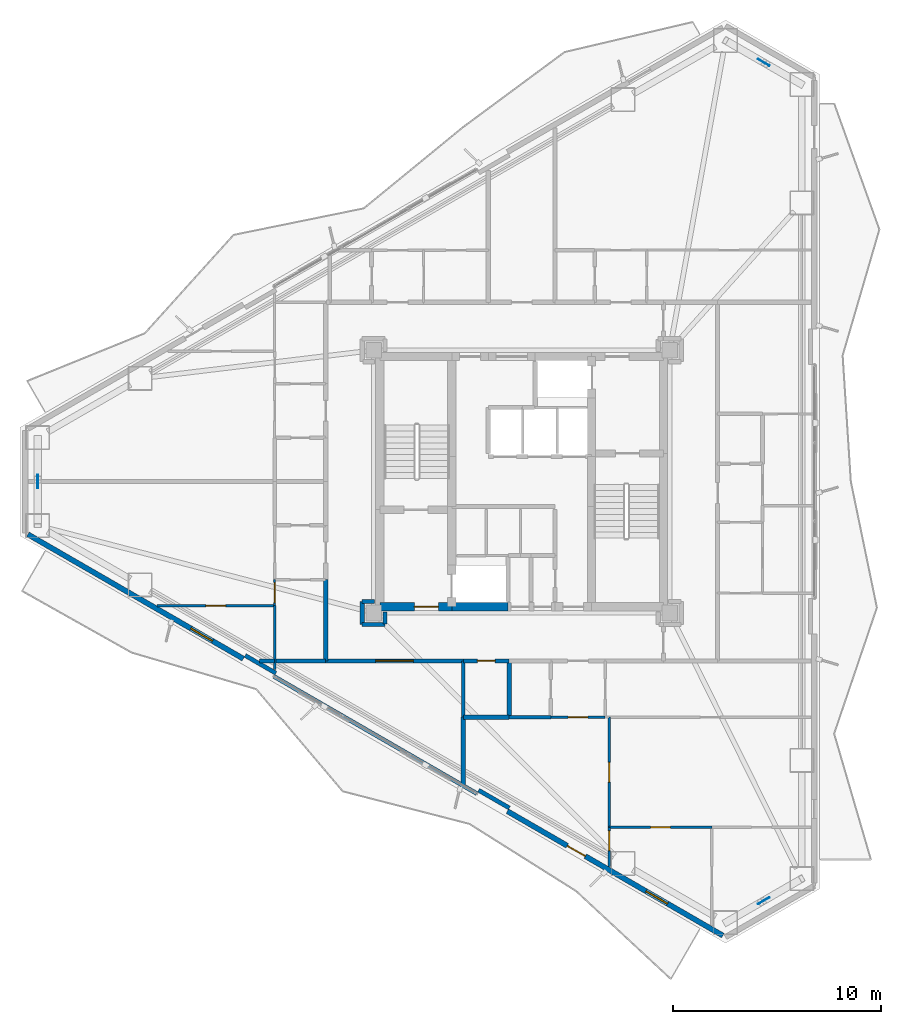
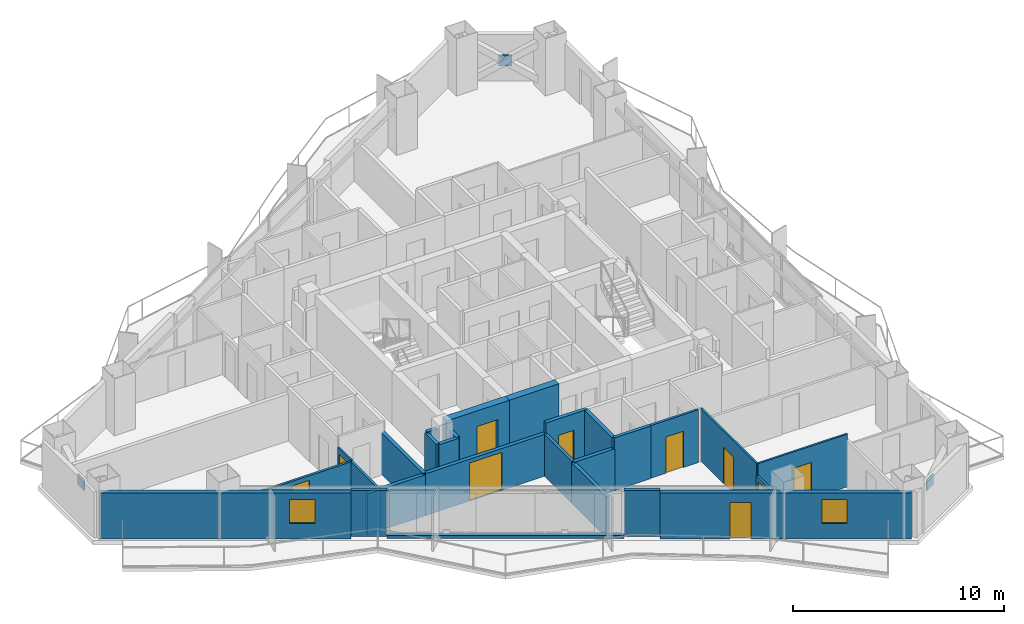
# One storey, part 15 of 22: 28 walls, 10 doors, 3 plates, 2 windows, 12 openings.
"""IFC4 building model written with IfcOpenShell, lengths in metres."""

from ifc_helpers import new_model, si_unit, direction, frame, frame_2d, origin, origin_2d, place, context, subcontext, project, spatial, rectangle, extrude, material, layer, layer_set, type_object, element, fill, save


model = new_model("IFC4")

# Units and contexts
model_context = context("Model", 3, precision=1e-05, world=origin(), true_north=direction((0.0, 1.0)))
body_context = subcontext(model_context, "Body", "Model", "MODEL_VIEW")
ifc_project = project(units=[si_unit("LENGTHUNIT", "METRE"), si_unit("AREAUNIT", "SQUARE_METRE"), si_unit("VOLUMEUNIT", "CUBIC_METRE"), si_unit("PLANEANGLEUNIT", "RADIAN"), si_unit("MASSUNIT", "GRAM", prefix="KILO")], contexts=[model_context])

# Site, building, storey
site_placement = place(None, origin())
site = spatial("IfcSite", under=ifc_project, at=site_placement, CompositionType="ELEMENT")
building_placement = place(site_placement, origin())
building = spatial("IfcBuilding", under=site, at=building_placement, Name="Mersakhor Tower and Convention Hall", CompositionType="ELEMENT")
storey_placement = place(building_placement, frame((0.0, 0.0, 103.199951171875)))
storey = spatial("IfcBuildingStorey", under=building, at=storey_placement, Name="L28", CompositionType="ELEMENT", Elevation=103.199951171875)

# Plates
ifc_material_1 = material(Name="Steel S460", Category="steel")
ifc_layer_1 = layer(ifc_material_1, 0.0400390625)
ifc_layer_set_1 = layer_set([ifc_layer_1], Name="Steel S460")
plate_type = type_object("IfcPlateType", Name="PL-GUSSET-40", PredefinedType="SHEET", material=ifc_layer_set_1)
for number, where, z_axis, x_axis, name in (
    (1, (40.606689453125, 46.853515625, 1.205078125), (0.0, 0.0, 1.0), (-0.866025403784, 0.5, 0.0), "L28 X-Brace Crossing Gusset Node Plate"),
    (2, (40.606689453125, 6.646728515625, 1.205078125), (0.0, 0.0, 1.0), (0.866025403784, 0.5, 0.0), "L28 X-Brace Crossing Gusset Node Plate"),
    (3, (5.78662109375, 26.75, 1.205078125), (0.0, 0.0, 1.0), (0.0, -1.0, 0.0), "L28 X-Brace Crossing Gusset Node Plate"),
):
    element("IfcPlate", number, at=place(storey_placement, frame(where, z_axis=z_axis, x_axis=x_axis)), inside=storey, type_object=plate_type, Name=name, PredefinedType="SHEET", context=body_context, shape_type="SweptSolid", body=[
        extrude(rectangle(XDim=0.639892578125, YDim=0.0400390625, at=origin_2d()), origin(), (0.0, 0.0, 1.0), 0.639892578125),
    ])

# Wall, openings, door, window
ifc_material_2 = material(Name="Precast concrete C40/50", Category="concrete")
ifc_layer_2 = layer(ifc_material_2, 0.25)
ifc_layer_set_2 = layer_set([ifc_layer_2], Name="Precast concrete C40/50")
wall_type_1 = type_object("IfcWallType", Name="WL-EXT-250", PredefinedType="SOLIDWALL", material=ifc_layer_set_2)
wall_1_placement = place(storey_placement, frame((38.648681640625, 4.973388671875, 0.0), z_axis=(0.0, 0.0, 1.0), x_axis=(-0.866023023012, 0.500004123596, 0.0)))
wall_1 = element("IfcWall", 4, at=wall_1_placement, inside=storey, type_object=wall_type_1, Name="L28 Exterior Facade Wall F3-B1", PredefinedType="SOLIDWALL", context=body_context, shape_type="SweptSolid", body=[
    extrude(rectangle(XDim=11.9296875, YDim=0.25, at=frame_2d((5.96484375, 0.0))), origin(), (0.0, 0.0, 1.0), 2.670166015625),
])
opening_1_placement = place(wall_1_placement, frame((7.615966796875, 0.0, 0.0)))
opening_1 = element("IfcOpeningElement", 5, at=opening_1_placement, cuts=wall_1, Name="Opening BD-01", PredefinedType="OPENING", context=body_context, shape_type="SweptSolid", body=[
    extrude(rectangle(XDim=1.0, YDim=2.10009765625, at=frame_2d((0.5, 1.050048828125))), frame((0.0, 0.135009765625, 0.0), z_axis=(0.0, -1.0, 0.0), x_axis=(1.0, 0.0, 0.0)), (0.0, 0.0, 1.0), 0.27001953125),
])
opening_2_placement = place(wall_1_placement, frame((3.05908203125, 0.0, 0.89990234375)))
opening_2 = element("IfcOpeningElement", 6, at=opening_2_placement, cuts=wall_1, Name="Opening W-01", PredefinedType="OPENING", context=body_context, shape_type="SweptSolid", body=[
    extrude(rectangle(XDim=1.199951171875, YDim=1.39990234375, at=frame_2d((0.60009765625, 0.699951171875))), frame((0.0, 0.135009765625, 0.0), z_axis=(0.0, -1.0, 0.0), x_axis=(1.0, 0.0, 0.0)), (0.0, 0.0, 1.0), 0.27001953125),
])
ifc_material_3 = material(Name="Thermally broken dark aluminium and safety glass", Category="aluminium")
door_type_1 = type_object("IfcDoorType", Name="DR-BAL-100x210", OperationType="NOTDEFINED", PredefinedType="DOOR", material=ifc_material_3)
door_1_placement = place(opening_1_placement, origin())
door_1 = element("IfcDoor", 7, at=door_1_placement, inside=storey, type_object=door_type_1, Name="L28 Balcony Terrace Door F3-B1", OperationType="SINGLE_SWING_LEFT", OverallHeight=2.10009765625, OverallWidth=1.0, PredefinedType="DOOR", context=body_context, shape_type="SweptSolid", body=[
    extrude(rectangle(XDim=1.0, YDim=2.10009765625, at=frame_2d((0.5, 1.050048828125))), frame((0.0, 0.02490234375, 0.0), z_axis=(0.0, -1.0, 0.0), x_axis=(1.0, 0.0, 0.0)), (0.0, 0.0, 1.0), 0.050048828125),
])
fill(opening_1, door_1)
ifc_material_4 = material(Name="Dark solar low-E glazed aluminium window", Category="aluminium")
window_type = type_object("IfcWindowType", Name="WN-RES-120x150", PartitioningType="SINGLE_PANEL", PredefinedType="WINDOW", material=ifc_material_4)
window_1_placement = place(opening_2_placement, origin())
window_1 = element("IfcWindow", 8, at=window_1_placement, inside=storey, type_object=window_type, Name="L28 Bedroom Facade Window F3-B1-1", OverallHeight=1.39990234375, OverallWidth=1.199951171875, PartitioningType="SINGLE_PANEL", PredefinedType="WINDOW", context=body_context, shape_type="SweptSolid", body=[
    extrude(rectangle(XDim=1.199951171875, YDim=1.39990234375, at=frame_2d((0.60009765625, 0.699951171875))), frame((0.0, 0.030029296875, 0.0), z_axis=(0.0, -1.0, 0.0), x_axis=(1.0, 0.0, 0.0)), (0.0, 0.0, 1.0), 0.06005859375),
])
fill(opening_2, window_1)

# Wall, opening, window
wall_2_placement = place(storey_placement, frame((15.64794921875, 18.2529296875, 0.0), z_axis=(0.0, 0.0, 1.0), x_axis=(-0.866023023012, 0.500004123596, 0.0)))
wall_2 = element("IfcWall", 9, at=wall_2_placement, inside=storey, type_object=wall_type_1, Name="L28 Exterior Facade Wall F3-B3", PredefinedType="SOLIDWALL", context=body_context, shape_type="SweptSolid", body=[
    extrude(rectangle(XDim=11.9296875, YDim=0.25, at=frame_2d((5.96484375, 0.0))), origin(), (0.0, 0.0, 1.0), 2.670166015625),
])
opening_3_placement = place(wall_2_placement, frame((1.7060546875, 0.0, 0.89990234375)))
opening_3 = element("IfcOpeningElement", 10, at=opening_3_placement, cuts=wall_2, Name="Opening W-01", PredefinedType="OPENING", context=body_context, shape_type="SweptSolid", body=[
    extrude(rectangle(XDim=1.199951171875, YDim=1.39990234375, at=frame_2d((0.60009765625, 0.699951171875))), frame((0.0, 0.135009765625, 0.0), z_axis=(0.0, -1.0, 0.0), x_axis=(1.0, 0.0, 0.0)), (0.0, 0.0, 1.0), 0.27001953125),
])
window_2_placement = place(opening_3_placement, origin())
window_2 = element("IfcWindow", 11, at=window_2_placement, inside=storey, type_object=window_type, Name="L28 Bedroom Facade Window F3-B3-1", OverallHeight=1.39990234375, OverallWidth=1.199951171875, PartitioningType="SINGLE_PANEL", PredefinedType="WINDOW", context=body_context, shape_type="SweptSolid", body=[
    extrude(rectangle(XDim=1.199951171875, YDim=1.39990234375, at=frame_2d((0.60009765625, 0.699951171875))), frame((0.0, 0.030029296875, 0.0), z_axis=(0.0, -1.0, 0.0), x_axis=(1.0, 0.0, 0.0)), (0.0, 0.0, 1.0), 0.06005859375),
])
fill(opening_3, window_2)

# Walls
ifc_material_5 = material(Name="Precast concrete C40/50", Category="concrete")
ifc_layer_3 = layer(ifc_material_5, 0.199951171875)
ifc_layer_set_3 = layer_set([ifc_layer_3], Name="Precast concrete C40/50")
wall_type_2 = type_object("IfcWallType", Name="WL-PAR-200", PredefinedType="PARAPET", material=ifc_layer_set_3)
wall_3_placement = place(storey_placement, frame((26.84521484375, 11.788330078125, 0.0), z_axis=(0.0, 0.0, 1.0), x_axis=(-0.866027010039, 0.499997217876, 0.0)))
element("IfcWall", 12, at=wall_3_placement, inside=storey, type_object=wall_type_2, Name="L28 Curtain Wall Upstand Sill F3-B2", PredefinedType="PARAPET", context=body_context, shape_type="SweptSolid", body=[
    extrude(rectangle(XDim=11.2294921875, YDim=0.199951171875, at=frame_2d((5.61474609375, 0.0))), origin(), (0.0, 0.0, 1.0), 0.199951171875),
])
wall_4_placement = place(storey_placement, frame((28.407470703125, 11.09423828125, 0.0), z_axis=(0.0, 0.0, 1.0), x_axis=(-0.86605165483, 0.499954529098, 0.0)))
element("IfcWall", 13, at=wall_4_placement, inside=storey, type_object=wall_type_2, Name="L28 Column Pier Cladding Wall F3-C1", PredefinedType="PARAPET", context=body_context, shape_type="SweptSolid", body=[
    extrude(rectangle(XDim=1.699951171875, YDim=0.199951171875, at=frame_2d((0.85009765625, 0.0))), origin(), (0.0, 0.0, 1.0), 2.670166015625),
])
wall_5_placement = place(storey_placement, frame((17.210205078125, 17.558837890625, 0.0), z_axis=(0.0, 0.0, 1.0), x_axis=(-0.866025371046, 0.500000056704, 0.0)))
element("IfcWall", 14, at=wall_5_placement, inside=storey, type_object=wall_type_2, Name="L28 Column Pier Cladding Wall F3-C2", PredefinedType="PARAPET", context=body_context, shape_type="SweptSolid", body=[
    extrude(rectangle(XDim=1.7001953125, YDim=0.199951171875, at=frame_2d((0.85009765625, 0.0))), origin(), (0.0, 0.0, 1.0), 2.670166015625),
])
ifc_material_6 = material(Name="Moisture-resistant acoustic drywall studwork", Category="other")
ifc_layer_4 = layer(ifc_material_6, 0.175048828125)
ifc_layer_set_4 = layer_set([ifc_layer_4], Name="Moisture-resistant acoustic drywall studwork")
wall_type_3 = type_object("IfcWallType", Name="WL-PLM-175", PredefinedType="PLUMBINGWALL", material=ifc_layer_set_4)
wall_6_placement = place(storey_placement, frame((26.199951171875, 15.449951171875, 0.0), z_axis=(0.0, 0.0, 1.0), x_axis=(0.0, 1.0, 0.0)))
element("IfcWall", 15, at=wall_6_placement, inside=storey, type_object=wall_type_3, Name="L28 Interior Partition Wall P-085", PredefinedType="PLUMBINGWALL", context=body_context, shape_type="SweptSolid", body=[
    extrude(rectangle(XDim=2.699951171875, YDim=0.175048828125, at=frame_2d((1.35009765625, 0.0))), origin(), (0.0, 0.0, 1.0), 2.4228515625),
])
wall_7_placement = place(storey_placement, frame((30.39990234375, 15.449951171875, 0.0), z_axis=(0.0, 0.0, 1.0), x_axis=(-1.0, 0.0, 0.0)))
element("IfcWall", 16, at=wall_7_placement, inside=storey, type_object=wall_type_3, Name="L28 Interior Partition Wall P-095", PredefinedType="PLUMBINGWALL", context=body_context, shape_type="SweptSolid", body=[
    extrude(rectangle(XDim=2.0, YDim=0.175048828125, at=frame_2d((1.0, 0.0))), origin(), (0.0, 0.0, 1.0), 3.050048828125),
])

# Wall, opening, door
ifc_material_7 = material(Name="Lightweight gypsum partition", Category="other")
ifc_layer_5 = layer(ifc_material_7, 0.10009765625)
ifc_layer_set_5 = layer_set([ifc_layer_5], Name="Lightweight gypsum partition")
wall_type_4 = type_object("IfcWallType", Name="WL-PRT-100", PredefinedType="PARTITIONING", material=ifc_layer_set_5)
wall_8_placement = place(storey_placement, frame((17.14990234375, 20.800048828125, 0.0), z_axis=(0.0, 0.0, 1.0), x_axis=(0.0, 1.0, 0.0)))
wall_8 = element("IfcWall", 17, at=wall_8_placement, inside=storey, type_object=wall_type_4, Name="L28 Interior Partition Wall P-106", PredefinedType="PARTITIONING", context=body_context, shape_type="SweptSolid", body=[
    extrude(rectangle(XDim=1.25, YDim=0.10009765625, at=frame_2d((0.625, 0.0))), origin(), (0.0, 0.0, 1.0), 2.4228515625),
])
opening_4_placement = place(wall_8_placement, frame((0.14990234375, 0.0, 0.0)))
opening_4 = element("IfcOpeningElement", 18, at=opening_4_placement, cuts=wall_8, Name="Opening RD-01", PredefinedType="OPENING", context=body_context, shape_type="SweptSolid", body=[
    extrude(rectangle(XDim=0.949951171875, YDim=2.10009765625, at=frame_2d((0.47509765625, 1.050048828125))), frame((0.0, 0.06005859375, 0.0), z_axis=(0.0, -1.0, 0.0), x_axis=(1.0, 0.0, 0.0)), (0.0, 0.0, 1.0), 0.1201171875),
])
ifc_material_8 = material(Name="Solid-core hardwood leaf in painted steel frame", Category="steel")
door_type_2 = type_object("IfcDoorType", Name="DR-INT-RM-095x210", OperationType="NOTDEFINED", PredefinedType="DOOR", material=ifc_material_8)
door_2_placement = place(opening_4_placement, origin())
door_2 = element("IfcDoor", 19, at=door_2_placement, inside=storey, type_object=door_type_2, Name="L28 L28 Flat W5 Kitchen to L28 Flat W5 Living and Dining Room Door", OperationType="SINGLE_SWING_RIGHT", OverallHeight=2.10009765625, OverallWidth=0.949951171875, PredefinedType="DOOR", context=body_context, shape_type="SweptSolid", body=[
    extrude(rectangle(XDim=0.949951171875, YDim=2.10009765625, at=frame_2d((0.47509765625, 1.050048828125))), frame((0.0, 0.02490234375, 0.0), z_axis=(0.0, -1.0, 0.0), x_axis=(1.0, 0.0, 0.0)), (0.0, 0.0, 1.0), 0.050048828125),
])
fill(opening_4, door_2)

wall_9_placement = place(storey_placement, frame((33.199951171875, 15.449951171875, 0.0), z_axis=(0.0, 0.0, 1.0), x_axis=(0.0, -1.0, 0.0)))
wall_9 = element("IfcWall", 20, at=wall_9_placement, inside=storey, type_object=wall_type_4, Name="L28 Interior Partition Wall P-118", PredefinedType="PARTITIONING", context=body_context, shape_type="SweptSolid", body=[
    extrude(rectangle(XDim=5.280029296875, YDim=0.10009765625, at=frame_2d((2.64013671875, 0.0))), origin(), (0.0, 0.0, 1.0), 3.050048828125),
])
opening_5_placement = place(wall_9_placement, frame((2.1650390625, 0.0, 0.0)))
opening_5 = element("IfcOpeningElement", 21, at=opening_5_placement, cuts=wall_9, Name="Opening RD-01", PredefinedType="OPENING", context=body_context, shape_type="SweptSolid", body=[
    extrude(rectangle(XDim=0.949951171875, YDim=2.10009765625, at=frame_2d((0.47509765625, 1.050048828125))), frame((0.0, 0.06005859375, 0.0), z_axis=(0.0, -1.0, 0.0), x_axis=(1.0, 0.0, 0.0)), (0.0, 0.0, 1.0), 0.1201171875),
])
door_3_placement = place(opening_5_placement, origin())
door_3 = element("IfcDoor", 22, at=door_3_placement, inside=storey, type_object=door_type_2, Name="L28 L28 Flat S3 Living and Dining Room to L28 Flat S3 Dining Room Door", OperationType="SINGLE_SWING_LEFT", OverallHeight=2.10009765625, OverallWidth=0.949951171875, PredefinedType="DOOR", context=body_context, shape_type="SweptSolid", body=[
    extrude(rectangle(XDim=0.949951171875, YDim=2.10009765625, at=frame_2d((0.47509765625, 1.050048828125))), frame((0.0, 0.02490234375, 0.0), z_axis=(0.0, -1.0, 0.0), x_axis=(1.0, 0.0, 0.0)), (0.0, 0.0, 1.0), 0.050048828125),
])
fill(opening_5, door_3)

wall_10_placement = place(storey_placement, frame((33.199951171875, 10.169921875, 0.0), z_axis=(0.0, 0.0, 1.0), x_axis=(1.0, 0.0, 0.0)))
wall_10 = element("IfcWall", 23, at=wall_10_placement, inside=storey, type_object=wall_type_4, Name="L28 Interior Partition Wall P-120", PredefinedType="PARTITIONING", context=body_context, shape_type="SweptSolid", body=[
    extrude(rectangle(XDim=4.920166015625, YDim=0.10009765625, at=frame_2d((2.4599609375, 0.0))), origin(), (0.0, 0.0, 1.0), 3.050048828125),
])
opening_6_placement = place(wall_10_placement, frame((1.985107421875, 0.0, 0.0)))
opening_6 = element("IfcOpeningElement", 24, at=opening_6_placement, cuts=wall_10, Name="Opening RD-01", PredefinedType="OPENING", context=body_context, shape_type="SweptSolid", body=[
    extrude(rectangle(XDim=0.949951171875, YDim=2.10009765625, at=frame_2d((0.47509765625, 1.050048828125))), frame((0.0, 0.06005859375, 0.0), z_axis=(0.0, -1.0, 0.0), x_axis=(1.0, 0.0, 0.0)), (0.0, 0.0, 1.0), 0.1201171875),
])
door_4_placement = place(opening_6_placement, origin())
door_4 = element("IfcDoor", 25, at=door_4_placement, inside=storey, type_object=door_type_2, Name="L28 L28 Flat S3 Bedroom 1 to L28 Flat S3 Dining Room Door", OperationType="SINGLE_SWING_LEFT", OverallHeight=2.10009765625, OverallWidth=0.949951171875, PredefinedType="DOOR", context=body_context, shape_type="SweptSolid", body=[
    extrude(rectangle(XDim=0.949951171875, YDim=2.10009765625, at=frame_2d((0.47509765625, 1.050048828125))), frame((0.0, 0.02490234375, 0.0), z_axis=(0.0, -1.0, 0.0), x_axis=(1.0, 0.0, 0.0)), (0.0, 0.0, 1.0), 0.050048828125),
])
fill(opening_6, door_4)

ifc_material_9 = material(Name="Gypsum board acoustic partition", Category="other")
ifc_layer_6 = layer(ifc_material_9, 0.125)
ifc_layer_set_6 = layer_set([ifc_layer_6], Name="Gypsum board acoustic partition")
wall_type_5 = type_object("IfcWallType", Name="WL-PRT-125", PredefinedType="PARTITIONING", material=ifc_layer_set_6)
wall_11_placement = place(storey_placement, frame((33.0, 15.449951171875, 0.0), z_axis=(0.0, 0.0, 1.0), x_axis=(-1.0, 0.0, 0.0)))
wall_11 = element("IfcWall", 26, at=wall_11_placement, inside=storey, type_object=wall_type_5, Name="L28 Interior Partition Wall P-071", PredefinedType="PARTITIONING", context=body_context, shape_type="SweptSolid", body=[
    extrude(rectangle(XDim=2.60009765625, YDim=0.125, at=frame_2d((1.300048828125, 0.0))), origin(), (0.0, 0.0, 1.0), 3.050048828125),
])
opening_7_placement = place(wall_11_placement, frame((0.824951171875, 0.0, 0.0)))
opening_7 = element("IfcOpeningElement", 27, at=opening_7_placement, cuts=wall_11, Name="Opening RD-01", PredefinedType="OPENING", context=body_context, shape_type="SweptSolid", body=[
    extrude(rectangle(XDim=0.949951171875, YDim=2.10009765625, at=frame_2d((0.47509765625, 1.050048828125))), frame((0.0, 0.072509765625, 0.0), z_axis=(0.0, -1.0, 0.0), x_axis=(1.0, 0.0, 0.0)), (0.0, 0.0, 1.0), 0.14501953125),
])
door_5_placement = place(opening_7_placement, origin())
door_5 = element("IfcDoor", 28, at=door_5_placement, inside=storey, type_object=door_type_2, Name="L28 L28 Flat S3 Apartment Hall to L28 Flat S3 Living and Dining Room Door", OperationType="SINGLE_SWING_RIGHT", OverallHeight=2.10009765625, OverallWidth=0.949951171875, PredefinedType="DOOR", context=body_context, shape_type="SweptSolid", body=[
    extrude(rectangle(XDim=0.949951171875, YDim=2.10009765625, at=frame_2d((0.47509765625, 1.050048828125))), frame((0.0, 0.02490234375, 0.0), z_axis=(0.0, -1.0, 0.0), x_axis=(1.0, 0.0, 0.0)), (0.0, 0.0, 1.0), 0.050048828125),
])
fill(opening_7, door_5)

# Wall
wall_12_placement = place(storey_placement, frame((17.14990234375, 17.73681640625, 0.0), z_axis=(0.0, 0.0, 1.0), x_axis=(0.0, 1.0, 0.0)))
element("IfcWall", 29, at=wall_12_placement, inside=storey, type_object=wall_type_5, Name="L28 Interior Partition Wall P-105", PredefinedType="PARTITIONING", context=body_context, shape_type="SweptSolid", body=[
    extrude(rectangle(XDim=3.063232421875, YDim=0.125, at=frame_2d((1.53173828125, 0.0))), origin(), (0.0, 0.0, 1.0), 2.364990234375),
])

# Wall, opening, door
wall_13_placement = place(storey_placement, frame((33.199951171875, 10.169921875, 0.0), z_axis=(0.0, 0.0, 1.0), x_axis=(0.0, -1.0, 0.0)))
wall_13 = element("IfcWall", 30, at=wall_13_placement, inside=storey, type_object=wall_type_5, Name="L28 Interior Partition Wall P-119", PredefinedType="PARTITIONING", context=body_context, shape_type="SweptSolid", body=[
    extrude(rectangle(XDim=1.87841796875, YDim=0.125, at=frame_2d((0.939208984375, 0.0))), origin(), (0.0, 0.0, 1.0), 2.364990234375),
])
opening_8_placement = place(wall_13_placement, frame((0.176025390625, 0.0, 0.0)))
opening_8 = element("IfcOpeningElement", 31, at=opening_8_placement, cuts=wall_13, Name="Opening RD-01", PredefinedType="OPENING", context=body_context, shape_type="SweptSolid", body=[
    extrude(rectangle(XDim=0.949951171875, YDim=2.10009765625, at=frame_2d((0.47509765625, 1.050048828125))), frame((0.0, 0.072509765625, 0.0), z_axis=(0.0, -1.0, 0.0), x_axis=(1.0, 0.0, 0.0)), (0.0, 0.0, 1.0), 0.14501953125),
])
door_6_placement = place(opening_8_placement, origin())
door_6 = element("IfcDoor", 32, at=door_6_placement, inside=storey, type_object=door_type_2, Name="L28 L28 Flat S3 Living and Dining Room to L28 Flat S3 Bedroom 1 Door", OperationType="SINGLE_SWING_RIGHT", OverallHeight=2.10009765625, OverallWidth=0.949951171875, PredefinedType="DOOR", context=body_context, shape_type="SweptSolid", body=[
    extrude(rectangle(XDim=0.949951171875, YDim=2.10009765625, at=frame_2d((0.47509765625, 1.050048828125))), frame((0.0, 0.02490234375, 0.0), z_axis=(0.0, -1.0, 0.0), x_axis=(1.0, 0.0, 0.0)), (0.0, 0.0, 1.0), 0.050048828125),
])
fill(opening_8, door_6)

wall_14_placement = place(storey_placement, frame((17.14990234375, 20.800048828125, 0.0), z_axis=(0.0, 0.0, 1.0), x_axis=(-1.0, 0.0, 0.0)))
wall_14 = element("IfcWall", 33, at=wall_14_placement, inside=storey, type_object=wall_type_5, Name="L28 Interior Partition Wall P-127", PredefinedType="PARTITIONING", context=body_context, shape_type="SweptSolid", body=[
    extrude(rectangle(XDim=5.642578125, YDim=0.125, at=frame_2d((2.8212890625, 0.0))), origin(), (0.0, 0.0, 1.0), 2.364990234375),
])
opening_9_placement = place(wall_14_placement, frame((2.34619140625, 0.0, 0.0)))
opening_9 = element("IfcOpeningElement", 34, at=opening_9_placement, cuts=wall_14, Name="Opening RD-01", PredefinedType="OPENING", context=body_context, shape_type="SweptSolid", body=[
    extrude(rectangle(XDim=0.949951171875, YDim=2.10009765625, at=frame_2d((0.47509765625, 1.050048828125))), frame((0.0, 0.072509765625, 0.0), z_axis=(0.0, -1.0, 0.0), x_axis=(1.0, 0.0, 0.0)), (0.0, 0.0, 1.0), 0.14501953125),
])
door_7_placement = place(opening_9_placement, origin())
door_7 = element("IfcDoor", 35, at=door_7_placement, inside=storey, type_object=door_type_2, Name="L28 L28 Flat W5 Living and Dining Room to L28 Flat W5 Bedroom 1 Door", OperationType="SINGLE_SWING_RIGHT", OverallHeight=2.10009765625, OverallWidth=0.949951171875, PredefinedType="DOOR", context=body_context, shape_type="SweptSolid", body=[
    extrude(rectangle(XDim=0.949951171875, YDim=2.10009765625, at=frame_2d((0.47509765625, 1.050048828125))), frame((0.0, 0.02490234375, 0.0), z_axis=(0.0, -1.0, 0.0), x_axis=(1.0, 0.0, 0.0)), (0.0, 0.0, 1.0), 0.050048828125),
])
fill(opening_9, door_7)

# Walls
ifc_material_10 = material(Name="Acoustic concrete blockwork and gypsum board", Category="masonry")
ifc_layer_7 = layer(ifc_material_10, 0.199951171875)
ifc_layer_set_7 = layer_set([ifc_layer_7], Name="Acoustic concrete blockwork and gypsum board")
wall_type_6 = type_object("IfcWallType", Name="WL-PRT-200", PredefinedType="PARTITIONING", material=ifc_layer_set_7)
wall_15_placement = place(storey_placement, frame((21.35009765625, 19.89990234375, 0.0), z_axis=(0.0, 0.0, 1.0), x_axis=(1.0, 0.0, 0.0)))
element("IfcWall", 36, at=wall_15_placement, inside=storey, type_object=wall_type_6, Name="L28 Interior Partition Wall P-019", PredefinedType="PARTITIONING", context=body_context, shape_type="SweptSolid", body=[
    extrude(rectangle(XDim=1.099853515625, YDim=0.199951171875, at=frame_2d((0.5498046875, 0.0))), origin(), (0.0, 0.0, 1.0), 2.4228515625),
])
wall_16_placement = place(storey_placement, frame((22.449951171875, 19.929931640625, 0.0), z_axis=(0.0, 0.0, 1.0), x_axis=(0.0, 1.0, 0.0)))
element("IfcWall", 37, at=wall_16_placement, inside=storey, type_object=wall_type_6, Name="L28 Interior Partition Wall P-020", PredefinedType="PARTITIONING", context=body_context, shape_type="SweptSolid", body=[
    extrude(rectangle(XDim=0.570068359375, YDim=0.199951171875, at=frame_2d((0.28515625, 0.0))), origin(), (0.0, 0.0, 1.0), 2.4228515625),
])

# Wall, opening, door
wall_17_placement = place(storey_placement, frame((28.39990234375, 18.14990234375, 0.0), z_axis=(0.0, 0.0, 1.0), x_axis=(-1.0, 0.0, 0.0)))
wall_17 = element("IfcWall", 38, at=wall_17_placement, inside=storey, type_object=wall_type_6, Name="L28 Interior Partition Wall P-027", PredefinedType="PARTITIONING", context=body_context, shape_type="SweptSolid", body=[
    extrude(rectangle(XDim=2.199951171875, YDim=0.199951171875, at=frame_2d((1.10009765625, 0.0))), origin(), (0.0, 0.0, 1.0), 3.050048828125),
])
opening_10_placement = place(wall_17_placement, frame((0.675048828125, 0.0, 0.0)))
opening_10 = element("IfcOpeningElement", 39, at=opening_10_placement, cuts=wall_17, Name="Opening SVD-01", PredefinedType="OPENING", context=body_context, shape_type="SweptSolid", body=[
    extrude(rectangle(XDim=0.85009765625, YDim=2.10009765625, at=frame_2d((0.425048828125, 1.050048828125))), frame((0.0, 0.10986328125, 0.0), z_axis=(0.0, -1.0, 0.0), x_axis=(1.0, 0.0, 0.0)), (0.0, 0.0, 1.0), 0.219970703125),
])
ifc_material_11 = material(Name="Fire-rated hardwood leaf and painted steel frame", Category="steel")
door_type_3 = type_object("IfcDoorType", Name="DR-INT-SVC-085x210", OperationType="NOTDEFINED", PredefinedType="DOOR", material=ifc_material_11)
door_8_placement = place(opening_10_placement, origin())
door_8 = element("IfcDoor", 40, at=door_8_placement, inside=storey, type_object=door_type_3, Name="L28 Residential Ring Corridor to L28 South Wing Public Toilet WC Door", OperationType="SINGLE_SWING_RIGHT", OverallHeight=2.10009765625, OverallWidth=0.85009765625, PredefinedType="DOOR", context=body_context, shape_type="SweptSolid", body=[
    extrude(rectangle(XDim=0.85009765625, YDim=2.10009765625, at=frame_2d((0.425048828125, 1.050048828125))), frame((0.0, 0.02490234375, 0.0), z_axis=(0.0, -1.0, 0.0), x_axis=(1.0, 0.0, 0.0)), (0.0, 0.0, 1.0), 0.050048828125),
])
fill(opening_10, door_8)

wall_18_placement = place(storey_placement, frame((26.199951171875, 18.14990234375, 0.0), z_axis=(0.0, 0.0, 1.0), x_axis=(-1.0, 0.0, 0.0)))
wall_18 = element("IfcWall", 41, at=wall_18_placement, inside=storey, type_object=wall_type_6, Name="L28 Interior Partition Wall P-028", PredefinedType="PARTITIONING", context=body_context, shape_type="SweptSolid", body=[
    extrude(rectangle(XDim=6.599853515625, YDim=0.199951171875, at=frame_2d((3.2998046875, 0.0))), origin(), (0.0, 0.0, 1.0), 2.4228515625),
])
opening_11_placement = place(wall_18_placement, frame((2.39990234375, 0.0, 0.0)))
opening_11 = element("IfcOpeningElement", 42, at=opening_11_placement, cuts=wall_18, Name="Opening HD-01", PredefinedType="OPENING", context=body_context, shape_type="SweptSolid", body=[
    extrude(rectangle(XDim=1.800048828125, YDim=2.199951171875, at=frame_2d((0.89990234375, 1.10009765625))), frame((0.0, 0.10986328125, 0.0), z_axis=(0.0, -1.0, 0.0), x_axis=(1.0, 0.0, 0.0)), (0.0, 0.0, 1.0), 0.219970703125),
])
ifc_material_12 = material(Name="Fire-rated hardwood leaf and painted steel frame", Category="steel")
door_type_4 = type_object("IfcDoorType", Name="DR-INT-HALL-180x220", OperationType="NOTDEFINED", PredefinedType="DOOR", material=ifc_material_12)
door_9_placement = place(opening_11_placement, origin())
door_9 = element("IfcDoor", 43, at=door_9_placement, inside=storey, type_object=door_type_4, Name="L28 Residential Ring Corridor to L28 South Wing Residents Reading Library Door", OperationType="DOUBLE_DOOR_SINGLE_SWING", OverallHeight=2.199951171875, OverallWidth=1.800048828125, PredefinedType="DOOR", context=body_context, shape_type="SweptSolid", body=[
    extrude(rectangle(XDim=1.800048828125, YDim=2.199951171875, at=frame_2d((0.89990234375, 1.10009765625))), frame((0.0, 0.02490234375, 0.0), z_axis=(0.0, -1.0, 0.0), x_axis=(1.0, 0.0, 0.0)), (0.0, 0.0, 1.0), 0.050048828125),
])
fill(opening_11, door_9)

# Walls
wall_19_placement = place(storey_placement, frame((19.60009765625, 18.14990234375, 0.0), z_axis=(0.0, 0.0, 1.0), x_axis=(0.0, 1.0, 0.0)))
element("IfcWall", 44, at=wall_19_placement, inside=storey, type_object=wall_type_6, Name="L28 Interior Partition Wall P-029", PredefinedType="PARTITIONING", context=body_context, shape_type="SweptSolid", body=[
    extrude(rectangle(XDim=3.900146484375, YDim=0.199951171875, at=frame_2d((1.9501953125, 0.0))), origin(), (0.0, 0.0, 1.0), 2.4228515625),
])
wall_20_placement = place(storey_placement, frame((21.949951171875, 21.0, 0.0), z_axis=(0.0, 0.0, 1.0), x_axis=(-1.0, 0.0, 0.0)))
element("IfcWall", 45, at=wall_20_placement, inside=storey, type_object=wall_type_6, Name="L28 Interior Partition Wall P-050", PredefinedType="PARTITIONING", context=body_context, shape_type="SweptSolid", body=[
    extrude(rectangle(XDim=0.599853515625, YDim=0.199951171875, at=frame_2d((0.2998046875, 0.0))), origin(), (0.0, 0.0, 1.0), 2.498291015625),
])
wall_21_placement = place(storey_placement, frame((21.35009765625, 21.0, 0.0), z_axis=(0.0, 0.0, 1.0), x_axis=(0.0, -1.0, 0.0)))
element("IfcWall", 46, at=wall_21_placement, inside=storey, type_object=wall_type_6, Name="L28 Interior Partition Wall P-051", PredefinedType="PARTITIONING", context=body_context, shape_type="SweptSolid", body=[
    extrude(rectangle(XDim=1.10009765625, YDim=0.199951171875, at=frame_2d((0.550048828125, 0.0))), origin(), (0.0, 0.0, 1.0), 2.4228515625),
])
wall_22_placement = place(storey_placement, frame((28.39990234375, 15.449951171875, 0.0), z_axis=(0.0, 0.0, 1.0), x_axis=(-1.0, 0.0, 0.0)))
element("IfcWall", 47, at=wall_22_placement, inside=storey, type_object=wall_type_6, Name="L28 Interior Partition Wall P-084", PredefinedType="PARTITIONING", context=body_context, shape_type="SweptSolid", body=[
    extrude(rectangle(XDim=2.199951171875, YDim=0.199951171875, at=frame_2d((1.10009765625, 0.0))), origin(), (0.0, 0.0, 1.0), 2.4228515625),
])
wall_23_placement = place(storey_placement, frame((28.39990234375, 18.14990234375, 0.0), z_axis=(0.0, 0.0, 1.0), x_axis=(0.0, -1.0, 0.0)))
element("IfcWall", 48, at=wall_23_placement, inside=storey, type_object=wall_type_6, Name="L28 Interior Partition Wall P-086", PredefinedType="PARTITIONING", context=body_context, shape_type="SweptSolid", body=[
    extrude(rectangle(XDim=2.699951171875, YDim=0.199951171875, at=frame_2d((1.35009765625, 0.0))), origin(), (0.0, 0.0, 1.0), 3.050048828125),
])
wall_24_placement = place(storey_placement, frame((19.60009765625, 18.14990234375, 0.0), z_axis=(0.0, 0.0, 1.0), x_axis=(-1.0, 0.0, 0.0)))
element("IfcWall", 49, at=wall_24_placement, inside=storey, type_object=wall_type_6, Name="L28 Interior Partition Wall P-107", PredefinedType="PARTITIONING", context=body_context, shape_type="SweptSolid", body=[
    extrude(rectangle(XDim=2.4501953125, YDim=0.199951171875, at=frame_2d((1.22509765625, 0.0))), origin(), (0.0, 0.0, 1.0), 2.364990234375),
])
wall_25_placement = place(storey_placement, frame((16.4267578125, 18.14990234375, 0.0), z_axis=(0.0, 0.0, 1.0), x_axis=(1.0, 0.0, 0.0)))
element("IfcWall", 50, at=wall_25_placement, inside=storey, type_object=wall_type_6, Name="L28 Interior Partition Wall P-115", PredefinedType="PARTITIONING", context=body_context, shape_type="SweptSolid", body=[
    extrude(rectangle(XDim=0.72314453125, YDim=0.199951171875, at=frame_2d((0.361572265625, 0.0))), origin(), (0.0, 0.0, 1.0), 2.364990234375),
])
wall_26_placement = place(storey_placement, frame((26.199951171875, 15.449951171875, 0.0), z_axis=(0.0, 0.0, 1.0), x_axis=(0.0, -1.0, 0.0)))
element("IfcWall", 51, at=wall_26_placement, inside=storey, type_object=wall_type_6, Name="L28 Interior Partition Wall P-116", PredefinedType="PARTITIONING", context=body_context, shape_type="SweptSolid", body=[
    extrude(rectangle(XDim=3.24755859375, YDim=0.199951171875, at=frame_2d((1.623779296875, 0.0))), origin(), (0.0, 0.0, 1.0), 2.364990234375),
])
ifc_material_13 = material(Name="Concrete C60/75", Category="concrete")
ifc_layer_8 = layer(ifc_material_13, 0.39990234375)
ifc_layer_set_8 = layer_set([ifc_layer_8], Name="Concrete C60/75")
wall_type_7 = type_object("IfcWallType", Name="WL-SHR-400", PredefinedType="SHEAR", material=ifc_layer_set_8)
wall_27_placement = place(storey_placement, frame((28.35009765625, 20.75, 0.0), z_axis=(0.0, 0.0, 1.0), x_axis=(-1.0, 0.0, 0.0)))
element("IfcWall", 52, at=wall_27_placement, inside=storey, type_object=wall_type_7, Name="L28 Core Wall CW-S3", PredefinedType="SHEAR", context=body_context, shape_type="SweptSolid", body=[
    extrude(rectangle(XDim=2.7001953125, YDim=0.39990234375, at=frame_2d((1.35009765625, 0.0))), origin(), (0.0, 0.0, 1.0), 3.050048828125),
])

# Wall, opening, door
wall_28_placement = place(storey_placement, frame((25.64990234375, 20.75, 0.0), z_axis=(0.0, 0.0, 1.0), x_axis=(-1.0, 0.0, 0.0)))
wall_28 = element("IfcWall", 53, at=wall_28_placement, inside=storey, type_object=wall_type_7, Name="L28 Core Wall CW-S4", PredefinedType="SHEAR", context=body_context, shape_type="SweptSolid", body=[
    extrude(rectangle(XDim=3.449951171875, YDim=0.39990234375, at=frame_2d((1.72509765625, 0.0))), origin(), (0.0, 0.0, 1.0), 3.050048828125),
])
opening_12_placement = place(wall_28_placement, frame((0.64990234375, 0.0, 0.0)))
opening_12 = element("IfcOpeningElement", 54, at=opening_12_placement, cuts=wall_28, Name="Opening SD-01", PredefinedType="OPENING", context=body_context, shape_type="SweptSolid", body=[
    extrude(rectangle(XDim=1.14990234375, YDim=2.14990234375, at=frame_2d((0.574951171875, 1.074951171875))), frame((0.0, 0.2099609375, 0.0), z_axis=(0.0, -1.0, 0.0), x_axis=(1.0, 0.0, 0.0)), (0.0, 0.0, 1.0), 0.419921875),
])
ifc_material_14 = material(Name="Fire-rated hardwood leaf and painted steel frame", Category="steel")
door_type_5 = type_object("IfcDoorType", Name="DR-INT-STAIR-115x215", OperationType="NOTDEFINED", PredefinedType="DOOR", material=ifc_material_14)
door_10_placement = place(opening_12_placement, origin())
door_10 = element("IfcDoor", 55, at=door_10_placement, inside=storey, type_object=door_type_5, Name="L28 Firefighting Lobby West Fire Door", OperationType="SINGLE_SWING_LEFT", OverallHeight=2.14990234375, OverallWidth=1.14990234375, PredefinedType="DOOR", context=body_context, shape_type="SweptSolid", body=[
    extrude(rectangle(XDim=1.14990234375, YDim=2.14990234375, at=frame_2d((0.574951171875, 1.074951171875))), frame((0.0, 0.02490234375, 0.0), z_axis=(0.0, -1.0, 0.0), x_axis=(1.0, 0.0, 0.0)), (0.0, 0.0, 1.0), 0.050048828125),
])
fill(opening_12, door_10)

save(model, "model.ifc")
